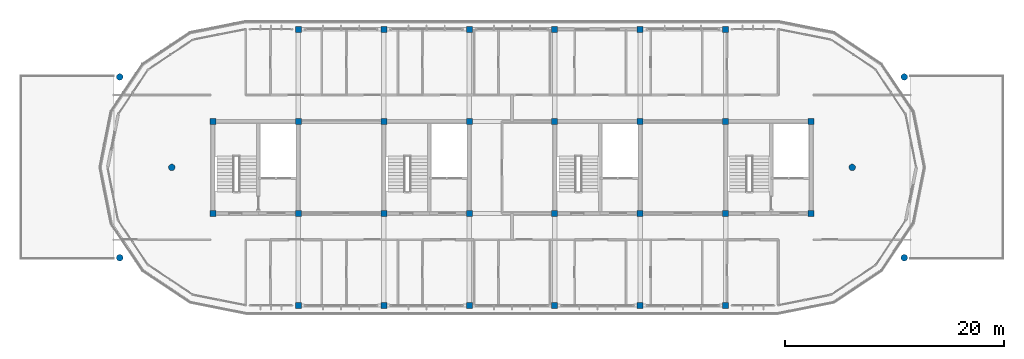
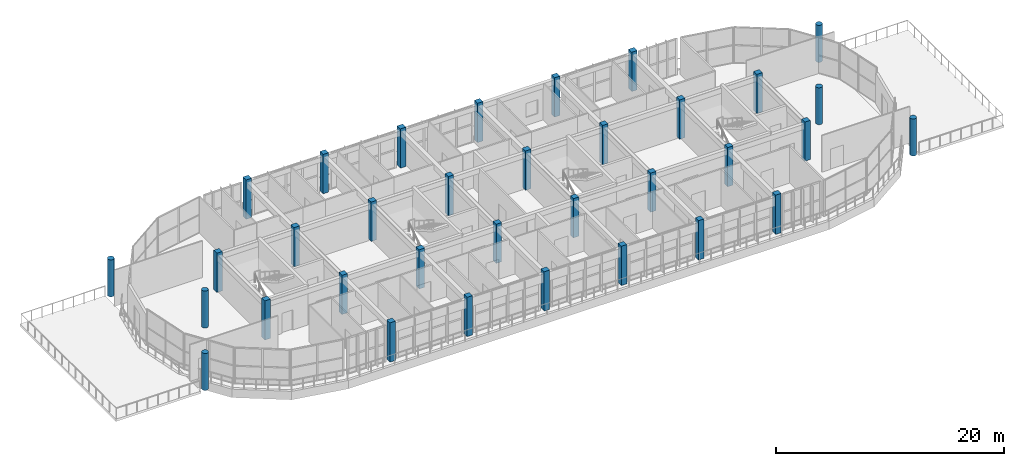
# One storey, part 1 of 44: 34 columns.
"""IFC4 building model written with IfcOpenShell, lengths in metres."""

from ifc_helpers import new_model, si_unit, direction, frame, origin, origin_2d, place, context, subcontext, project, spatial, rectangle, circle, extrude, material, material_profile, profile_set, type_object, element, save


model = new_model("IFC4")

# Units and contexts
model_context = context("Model", 3, precision=1e-05, world=origin(), true_north=direction((0.0, 1.0)))
body_context = subcontext(model_context, "Body", "Model", "MODEL_VIEW")
ifc_project = project(units=[si_unit("LENGTHUNIT", "METRE"), si_unit("AREAUNIT", "SQUARE_METRE"), si_unit("VOLUMEUNIT", "CUBIC_METRE"), si_unit("PLANEANGLEUNIT", "RADIAN"), si_unit("MASSUNIT", "GRAM", prefix="KILO")], contexts=[model_context])

# Site, building, storey
site_placement = place(None, origin())
site = spatial("IfcSite", under=ifc_project, at=site_placement, CompositionType="ELEMENT")
building_placement = place(site_placement, origin())
building = spatial("IfcBuilding", under=site, at=building_placement, Name="Zizhar Promenade General Hospital", CompositionType="ELEMENT")
storey_placement = place(building_placement, frame((0.0, 0.0, 34.800048828125)))
storey = spatial("IfcBuildingStorey", under=building, at=storey_placement, Name="L08", CompositionType="ELEMENT", Elevation=34.800048828125)

# Columns
ifc_material_1 = material(Name="Concrete C40/50", Category="concrete")
ifc_material_profile_1 = material_profile(ifc_material_1, circle(Radius=0.300048828125, at=origin_2d()))
ifc_profile_set_1 = profile_set([ifc_material_profile_1], Name="Concrete C40/50")
column_type_1 = type_object("IfcColumnType", Name="COL-CIRC-600", PredefinedType="PILASTER", material=ifc_profile_set_1)
for number, where, z_axis, x_axis, name in (
    (1, (38.300048828125, 4.35009765625, 0.0), (0.0, 0.0, 1.0), (1.0, 0.0, 0.0), "Ward Terrace Interior Support Column L09-W0 (L08)"),
    (2, (38.300048828125, 20.85009765625, 0.0), (0.0, 0.0, 1.0), (1.0, 0.0, 0.0), "Ward Terrace Interior Support Column L09-W1 (L08)"),
    (3, (43.050048828125, 12.60009765625, 0.0), (0.0, 0.0, 1.0), (1.0, 0.0, 0.0), "Ward Terrace Interior Support Column L09-W2 (L08)"),
    (4, (109.89990234375, 4.35009765625, 0.0), (0.0, 0.0, 1.0), (1.0, 0.0, 0.0), "Ward Terrace Interior Support Column L09-E0 (L08)"),
    (5, (109.89990234375, 20.85009765625, 0.0), (0.0, 0.0, 1.0), (1.0, 0.0, 0.0), "Ward Terrace Interior Support Column L09-E1 (L08)"),
    (6, (105.14990234375, 12.60009765625, 0.0), (0.0, 0.0, 1.0), (1.0, 0.0, 0.0), "Ward Terrace Interior Support Column L09-E2 (L08)"),
):
    element("IfcColumn", number, at=place(storey_placement, frame(where, z_axis=z_axis, x_axis=x_axis)), inside=storey, type_object=column_type_1, Name=name, PredefinedType="PILASTER", context=body_context, shape_type="SweptSolid", body=[
        extrude(circle(Radius=0.300048828125, at=origin_2d()), origin(), (0.0, 0.0, 1.0), 3.949951171875),
    ])
ifc_material_2 = material(Name="Concrete C40/50", Category="concrete")
ifc_material_profile_2 = material_profile(ifc_material_2, rectangle(XDim=0.550048828125, YDim=0.550048828125, at=origin_2d()))
ifc_profile_set_2 = profile_set([ifc_material_profile_2], Name="Concrete C40/50")
column_type_2 = type_object("IfcColumnType", Name="COL-RC-550", PredefinedType="COLUMN", material=ifc_profile_set_2)
for number, where, z_axis, x_axis, name in (
    (7, (46.800048828125, 8.39990234375, 0.0), (0.0, 0.0, 1.0), (1.0, 0.0, 0.0), "Column 7-B (L08)"),
    (8, (46.800048828125, 16.800048828125, 0.0), (0.0, 0.0, 1.0), (1.0, 0.0, 0.0), "Column 7-C (L08)"),
    (9, (54.60009765625, 0.0, 0.0), (0.0, 0.0, 1.0), (1.0, 0.0, 0.0), "Column 8-A (L08)"),
    (10, (54.60009765625, 8.39990234375, 0.0), (0.0, 0.0, 1.0), (1.0, 0.0, 0.0), "Column 8-B (L08)"),
    (11, (54.60009765625, 16.800048828125, 0.0), (0.0, 0.0, 1.0), (1.0, 0.0, 0.0), "Column 8-C (L08)"),
    (12, (54.60009765625, 25.199951171875, 0.0), (0.0, 0.0, 1.0), (1.0, 0.0, 0.0), "Column 8-D (L08)"),
    (13, (62.39990234375, 0.0, 0.0), (0.0, 0.0, 1.0), (1.0, 0.0, 0.0), "Column 9-A (L08)"),
    (14, (62.39990234375, 8.39990234375, 0.0), (0.0, 0.0, 1.0), (1.0, 0.0, 0.0), "Column 9-B (L08)"),
    (15, (62.39990234375, 16.800048828125, 0.0), (0.0, 0.0, 1.0), (1.0, 0.0, 0.0), "Column 9-C (L08)"),
    (16, (62.39990234375, 25.199951171875, 0.0), (0.0, 0.0, 1.0), (1.0, 0.0, 0.0), "Column 9-D (L08)"),
    (17, (70.199951171875, 0.0, 0.0), (0.0, 0.0, 1.0), (1.0, 0.0, 0.0), "Column 10-A (L08)"),
    (18, (70.199951171875, 8.39990234375, 0.0), (0.0, 0.0, 1.0), (1.0, 0.0, 0.0), "Column 10-B (L08)"),
    (19, (70.199951171875, 16.800048828125, 0.0), (0.0, 0.0, 1.0), (1.0, 0.0, 0.0), "Column 10-C (L08)"),
    (20, (70.199951171875, 25.199951171875, 0.0), (0.0, 0.0, 1.0), (1.0, 0.0, 0.0), "Column 10-D (L08)"),
    (21, (78.0, 0.0, 0.0), (0.0, 0.0, 1.0), (1.0, 0.0, 0.0), "Column 11-A (L08)"),
    (22, (78.0, 8.39990234375, 0.0), (0.0, 0.0, 1.0), (1.0, 0.0, 0.0), "Column 11-B (L08)"),
    (23, (78.0, 16.800048828125, 0.0), (0.0, 0.0, 1.0), (1.0, 0.0, 0.0), "Column 11-C (L08)"),
    (24, (78.0, 25.199951171875, 0.0), (0.0, 0.0, 1.0), (1.0, 0.0, 0.0), "Column 11-D (L08)"),
    (25, (85.800048828125, 0.0, 0.0), (0.0, 0.0, 1.0), (1.0, 0.0, 0.0), "Column 12-A (L08)"),
    (26, (85.800048828125, 8.39990234375, 0.0), (0.0, 0.0, 1.0), (1.0, 0.0, 0.0), "Column 12-B (L08)"),
    (27, (85.800048828125, 16.800048828125, 0.0), (0.0, 0.0, 1.0), (1.0, 0.0, 0.0), "Column 12-C (L08)"),
    (28, (85.800048828125, 25.199951171875, 0.0), (0.0, 0.0, 1.0), (1.0, 0.0, 0.0), "Column 12-D (L08)"),
    (29, (93.60009765625, 0.0, 0.0), (0.0, 0.0, 1.0), (1.0, 0.0, 0.0), "Column 13-A (L08)"),
    (30, (93.60009765625, 8.39990234375, 0.0), (0.0, 0.0, 1.0), (1.0, 0.0, 0.0), "Column 13-B (L08)"),
    (31, (93.60009765625, 16.800048828125, 0.0), (0.0, 0.0, 1.0), (1.0, 0.0, 0.0), "Column 13-C (L08)"),
    (32, (93.60009765625, 25.199951171875, 0.0), (0.0, 0.0, 1.0), (1.0, 0.0, 0.0), "Column 13-D (L08)"),
    (33, (101.39990234375, 8.39990234375, 0.0), (0.0, 0.0, 1.0), (1.0, 0.0, 0.0), "Column 14-B (L08)"),
    (34, (101.39990234375, 16.800048828125, 0.0), (0.0, 0.0, 1.0), (1.0, 0.0, 0.0), "Column 14-C (L08)"),
):
    element("IfcColumn", number, at=place(storey_placement, frame(where, z_axis=z_axis, x_axis=x_axis)), inside=storey, type_object=column_type_2, Name=name, PredefinedType="COLUMN", context=body_context, shape_type="SweptSolid", body=[
        extrude(rectangle(XDim=0.550048828125, YDim=0.550048828125, at=origin_2d()), origin(), (0.0, 0.0, 1.0), 4.199951171875),
    ])

save(model, "model.ifc")
